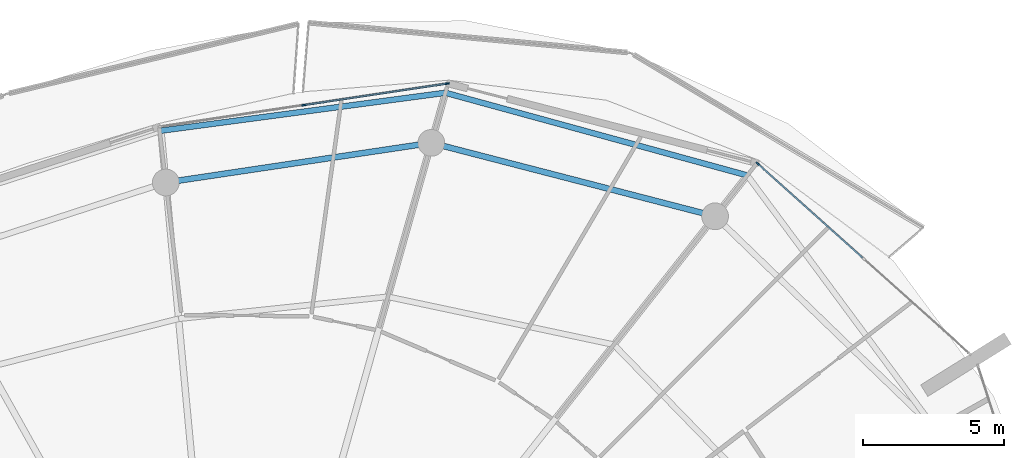
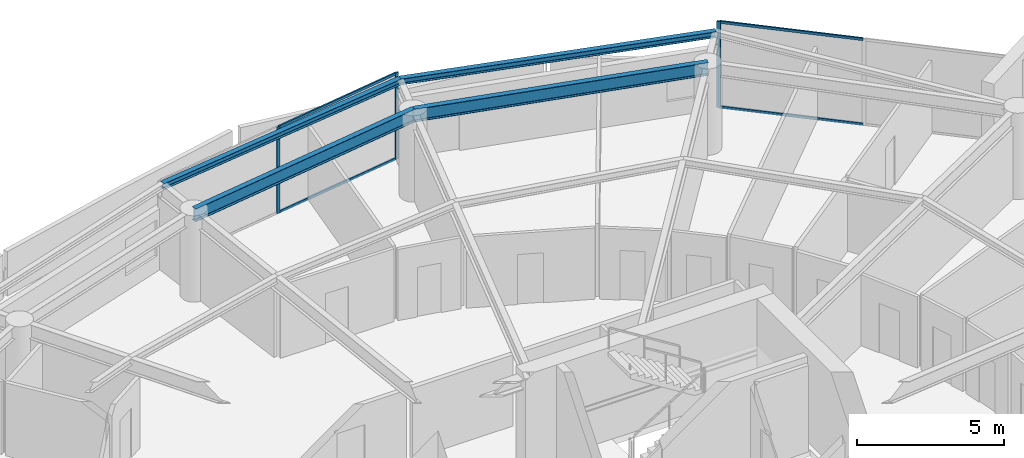
# One storey, part 16 of 31: 7 members, 4 beams, 2 elements without a shape of their own.
"""IFC4 building model written with IfcOpenShell, lengths in metres."""

from ifc_helpers import new_model, si_unit, direction, frame, origin, origin_2d, place, context, subcontext, project, spatial, rectangle, i_section, extrude, material, layer, layer_set, material_profile, profile_set, type_object, element, aggregate, save


model = new_model("IFC4")

# Units and contexts
model_context = context("Model", 3, precision=1e-05, world=origin(), true_north=direction((0.0, 1.0)))
body_context = subcontext(model_context, "Body", "Model", "MODEL_VIEW")
ifc_project = project(units=[si_unit("LENGTHUNIT", "METRE"), si_unit("AREAUNIT", "SQUARE_METRE"), si_unit("VOLUMEUNIT", "CUBIC_METRE"), si_unit("PLANEANGLEUNIT", "RADIAN"), si_unit("MASSUNIT", "GRAM", prefix="KILO")], contexts=[model_context])

# Site, building, storey
site_placement = place(None, origin())
site = spatial("IfcSite", under=ifc_project, at=site_placement, CompositionType="ELEMENT")
building_placement = place(site_placement, origin())
building = spatial("IfcBuilding", under=site, at=building_placement, Name="Kazma Halo Residences", CompositionType="ELEMENT")
storey_placement = place(building_placement, frame((0.0, 0.0, 248.25)))
storey = spatial("IfcBuildingStorey", under=building, at=storey_placement, Name="L62", CompositionType="ELEMENT", Elevation=248.25)

# Beams
ifc_material_1 = material(Name="Steel S355", Category="steel")
ifc_material_profile_1 = material_profile(ifc_material_1, i_section(OverallWidth=0.201904296875, OverallDepth=0.2470703125, WebThickness=0.00732421875, FlangeThickness=0.010986328125, FilletRadius=0.011962890625, at=origin_2d()), Name="W250x49.1")
ifc_profile_set_1 = profile_set([ifc_material_profile_1], Name="Steel S355")
beam_type_1 = type_object("IfcBeamType", Name="BM-BAL-CANT", PredefinedType="BEAM", material=ifc_profile_set_1)
beam_1_placement = place(storey_placement, frame((65.992431640625, 64.823486328125, 3.466552734375), z_axis=(-0.964514665976, 0.264029277006, 0.0), x_axis=(-0.264029277006, -0.964514665976, 0.0)))
element("IfcBeam", 1, at=beam_1_placement, inside=storey, type_object=beam_type_1, Name="L62 wave-balcony tie beam 02", PredefinedType="BEAM", context=body_context, shape_type="SweptSolid", body=[
    extrude(i_section(OverallWidth=0.201904296875, OverallDepth=0.2470703125, WebThickness=0.00732421875, FlangeThickness=0.010986328125, FilletRadius=0.011962890625, at=origin_2d()), origin(), (0.0, 0.0, 1.0), 11.1220703125),
])
beam_2_placement = place(storey_placement, frame((55.26513671875, 67.760009765625, 3.466552734375), z_axis=(-0.991234798397, -0.132111976922, 0.0), x_axis=(0.132111976922, -0.991234798397, 0.0)))
element("IfcBeam", 2, at=beam_2_placement, inside=storey, type_object=beam_type_1, Name="L62 wave-balcony tie beam 03", PredefinedType="BEAM", context=body_context, shape_type="SweptSolid", body=[
    extrude(i_section(OverallWidth=0.201904296875, OverallDepth=0.2470703125, WebThickness=0.00732421875, FlangeThickness=0.010986328125, FilletRadius=0.011962890625, at=origin_2d()), origin(), (0.0, 0.0, 1.0), 10.198974609375),
])
ifc_material_profile_2 = material_profile(ifc_material_1, i_section(OverallWidth=0.208984375, OverallDepth=0.532958984375, WebThickness=0.01025390625, FlangeThickness=0.015625, FilletRadius=0.01611328125, at=origin_2d()), Name="W530x92")
ifc_profile_set_2 = profile_set([ifc_material_profile_2], Name="Steel S355")
beam_type_2 = type_object("IfcBeamType", Name="BM-SPN-W530", PredefinedType="BEAM", material=ifc_profile_set_2)
beam_3_placement = place(storey_placement, frame((64.84716796875, 63.37060546875, 3.323486328125), z_axis=(-0.968126042852, 0.250463500639, 0.0), x_axis=(-0.250463500639, -0.968126042852, 0.0)))
element("IfcBeam", 3, at=beam_3_placement, inside=storey, type_object=beam_type_2, Name="L62 perimeter ring beam 02", PredefinedType="BEAM", context=body_context, shape_type="SweptSolid", body=[
    extrude(i_section(OverallWidth=0.208984375, OverallDepth=0.532958984375, WebThickness=0.01025390625, FlangeThickness=0.015625, FilletRadius=0.01611328125, at=origin_2d()), origin(), (0.0, 0.0, 1.0), 10.416259765625),
])
beam_4_placement = place(storey_placement, frame((54.762939453125, 65.9794921875, 3.323486328125), z_axis=(-0.989035441627, -0.147678350495, 0.0), x_axis=(0.147678350495, -0.989035441627, 0.0)))
element("IfcBeam", 4, at=beam_4_placement, inside=storey, type_object=beam_type_2, Name="L62 perimeter ring beam 03", PredefinedType="BEAM", context=body_context, shape_type="SweptSolid", body=[
    extrude(i_section(OverallWidth=0.208984375, OverallDepth=0.532958984375, WebThickness=0.01025390625, FlangeThickness=0.015625, FilletRadius=0.01611328125, at=origin_2d()), origin(), (0.0, 0.0, 1.0), 9.538818359375),
])

# Curtain wall, member
ifc_material_2 = material(Name="Aluminium AW-6063 T6 and Triple-Silver Low-E Glass", Category="aluminium")
ifc_layer = layer(ifc_material_2, 0.139892578125)
ifc_layer_set = layer_set([ifc_layer], Name="Aluminium AW-6063 T6 and Triple-Silver Low-E Glass")
curtain_wall_type = type_object("IfcCurtainWallType", Name="CW-SYS-5", PredefinedType="NOTDEFINED", material=ifc_layer_set)
curtain_wall_1_placement = place(storey_placement, origin())
curtain_wall_1 = element("IfcCurtainWall", 5, at=curtain_wall_1_placement, inside=storey, type_object=curtain_wall_type, Name="L62 unitised curtain wall B01", PredefinedType="NOTDEFINED")
ifc_material_3 = material(Name="Aluminium AW-6063 T6", Category="aluminium")
ifc_material_profile_3 = material_profile(ifc_material_3, rectangle(XDim=0.06005859375, YDim=0.139892578125, at=origin_2d()), Name="CWM-60x140")
ifc_profile_set_3 = profile_set([ifc_material_profile_3], Name="Aluminium AW-6063 T6")
member_type_1 = type_object("IfcMemberType", Name="CW-SYS-5-MUL", PredefinedType="MULLION", material=ifc_profile_set_3)
member_1_placement = place(storey_placement, frame((66.3603515625, 65.241455078125, 0.0), z_axis=(0.0, 0.0, 1.0), x_axis=(-0.667804826958, -0.744336424671, 0.0)))
member_1 = element("IfcMember", 6, at=member_1_placement, type_object=member_type_1, Name="CWS-5 mullion 3", PredefinedType="MULLION", context=body_context, shape_type="SweptSolid", body=[
    extrude(rectangle(XDim=0.06005859375, YDim=0.139892578125, at=origin_2d()), origin(), (0.0, 0.0, 1.0), 3.590087890625),
])

# Curtain wall, members
curtain_wall_2_placement = place(storey_placement, origin())
curtain_wall_2 = element("IfcCurtainWall", 7, at=curtain_wall_2_placement, inside=storey, type_object=curtain_wall_type, Name="L62 unitised curtain wall B03", PredefinedType="NOTDEFINED")
member_2_placement = place(storey_placement, frame((55.328857421875, 68.087158203125, 0.0), z_axis=(0.0, 0.0, 1.0), x_axis=(0.148697080374, -0.988882792998, 0.0)))
member_2 = element("IfcMember", 8, at=member_2_placement, type_object=member_type_1, Name="CWS-5 mullion 1", PredefinedType="MULLION", context=body_context, shape_type="SweptSolid", body=[
    extrude(rectangle(XDim=0.06005859375, YDim=0.139892578125, at=origin_2d()), origin(), (0.0, 0.0, 1.0), 3.590087890625),
])
member_3_placement = place(storey_placement, frame((50.2265625, 67.320068359375, 0.0), z_axis=(0.0, 0.0, 1.0), x_axis=(0.148697080374, -0.988882792998, 0.0)))
member_3 = element("IfcMember", 9, at=member_3_placement, type_object=member_type_1, Name="CWS-5 mullion 2", PredefinedType="MULLION", context=body_context, shape_type="SweptSolid", body=[
    extrude(rectangle(XDim=0.06005859375, YDim=0.139892578125, at=origin_2d()), origin(), (0.0, 0.0, 1.0), 3.590087890625),
])

# Member
ifc_material_profile_4 = material_profile(ifc_material_3, rectangle(XDim=0.06005859375, YDim=0.10498046875, at=origin_2d()), Name="CWT-60x105")
ifc_profile_set_4 = profile_set([ifc_material_profile_4], Name="Aluminium AW-6063 T6")
member_type_2 = type_object("IfcMemberType", Name="CW-SYS-5-TRN", PredefinedType="USERDEFINED", material=ifc_profile_set_4)
member_4_placement = place(storey_placement, frame((70.099609375, 61.88671875, 0.030029296875), z_axis=(-0.744350700793, 0.667788914425, 0.0), x_axis=(-0.667788914425, -0.744350700793, 0.0)))
member_4 = element("IfcMember", 10, at=member_4_placement, type_object=member_type_2, Name="CWS-5 transom 2.1", ObjectType="TRANSOM", PredefinedType="USERDEFINED", context=body_context, shape_type="SweptSolid", body=[
    extrude(rectangle(XDim=0.06005859375, YDim=0.10498046875, at=origin_2d()), origin(), (0.0, 0.0, 1.0), 4.99365234375),
])

member_5_placement = place(storey_placement, frame((70.099609375, 61.88671875, 3.56005859375), z_axis=(-0.744350700793, 0.667788914425, 0.0), x_axis=(-0.667788914425, -0.744350700793, 0.0)))
member_5 = element("IfcMember", 11, at=member_5_placement, type_object=member_type_2, Name="CWS-5 transom 2.2", ObjectType="TRANSOM", PredefinedType="USERDEFINED", context=body_context, shape_type="SweptSolid", body=[
    extrude(rectangle(XDim=0.06005859375, YDim=0.10498046875, at=origin_2d()), origin(), (0.0, 0.0, 1.0), 4.99365234375),
])

aggregate(curtain_wall_1, [member_1, member_4, member_5])

member_6_placement = place(storey_placement, frame((55.29931640625, 68.082763671875, 0.030029296875), z_axis=(-0.988883972013, -0.148689239341, 0.0), x_axis=(0.148689239341, -0.988883972013, 0.0)))
member_6 = element("IfcMember", 12, at=member_6_placement, type_object=member_type_2, Name="CWS-5 transom 1.1", ObjectType="TRANSOM", PredefinedType="USERDEFINED", context=body_context, shape_type="SweptSolid", body=[
    extrude(rectangle(XDim=0.06005859375, YDim=0.10498046875, at=origin_2d()), origin(), (0.0, 0.0, 1.0), 5.099853515625),
])

member_7_placement = place(storey_placement, frame((55.29931640625, 68.082763671875, 3.56005859375), z_axis=(-0.988883972013, -0.148689239341, 0.0), x_axis=(0.148689239341, -0.988883972013, 0.0)))
member_7 = element("IfcMember", 13, at=member_7_placement, type_object=member_type_2, Name="CWS-5 transom 1.2", ObjectType="TRANSOM", PredefinedType="USERDEFINED", context=body_context, shape_type="SweptSolid", body=[
    extrude(rectangle(XDim=0.06005859375, YDim=0.10498046875, at=origin_2d()), origin(), (0.0, 0.0, 1.0), 5.099853515625),
])

aggregate(curtain_wall_2, [member_2, member_3, member_6, member_7])

save(model, "model.ifc")
